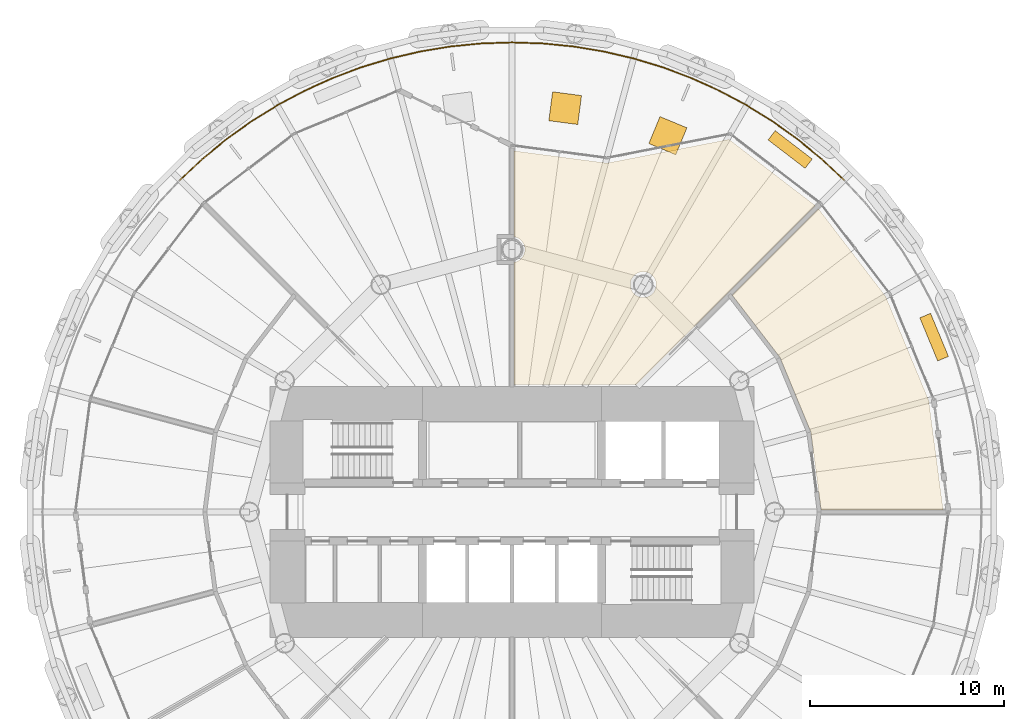
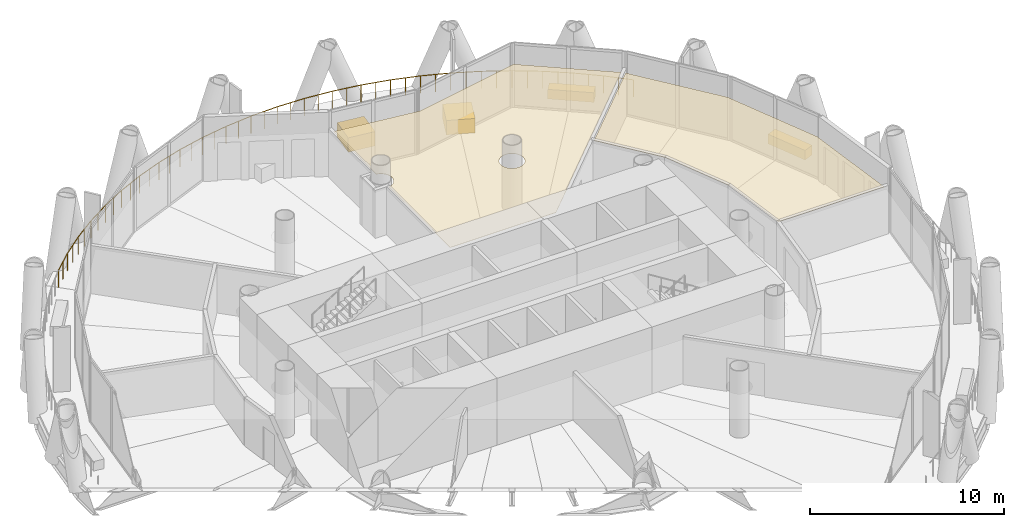
# One storey, part 15 of 15: 6 coverings, 1 railing.
"""IFC4 building model written with IfcOpenShell, lengths in metres."""

from ifc_helpers import new_model, si_unit, direction, frame, origin, origin_2d, place, context, subcontext, project, spatial, polyline, rectangle, circle, outline, extrude, material, layer, layer_set, type_object, element, save


model = new_model("IFC4")

# Units and contexts
model_context = context("Model", 3, precision=1e-05, world=origin(), true_north=direction((0.0, 1.0)))
body_context = subcontext(model_context, "Body", "Model", "MODEL_VIEW")
ifc_project = project(units=[si_unit("LENGTHUNIT", "METRE"), si_unit("AREAUNIT", "SQUARE_METRE"), si_unit("VOLUMEUNIT", "CUBIC_METRE"), si_unit("PLANEANGLEUNIT", "RADIAN"), si_unit("MASSUNIT", "GRAM", prefix="KILO")], contexts=[model_context])

# Site, building, storey
site_placement = place(None, origin())
site = spatial("IfcSite", under=ifc_project, at=site_placement, CompositionType="ELEMENT")
building_placement = place(site_placement, origin())
building = spatial("IfcBuilding", under=site, at=building_placement, Name="Qaws Media Tower", CompositionType="ELEMENT")
storey_placement = place(building_placement, frame((0.0, 0.0, 147.800048828125)))
storey = spatial("IfcBuildingStorey", under=building, at=storey_placement, Name="L33", CompositionType="ELEMENT", Elevation=147.800048828125)

# Railing
ifc_material_1 = material(Name="Stainless steel and glass guard", Category="steel")
railing_type = type_object("IfcRailingType", Name="Balcony guard 1100", PredefinedType="GUARDRAIL", material=ifc_material_1)
railing_placement = place(storey_placement, frame((77.07666015625, 67.07666015625, 0.0)))
element("IfcRailing", 1, at=railing_placement, inside=storey, type_object=railing_type, Name="GR1 balcony guard L33-1", PredefinedType="GUARDRAIL", context=body_context, shape_type="SweptSolid", body=[
    extrude(circle(Radius=0.02392578125, at=origin_2d()), frame((0.0, 0.0, 1.076171875), z_axis=(-0.729898402418, 0.683555646709, 0.0), x_axis=(-0.683555646709, -0.729898402418, 0.0)), (0.0, 0.0, 1.0), 1.58056640625),
    extrude(circle(Radius=0.02392578125, at=origin_2d()), frame((-1.153564453125, 1.080322265625, 1.076171875), z_axis=(-0.772999541766, 0.63440657975, 0.0), x_axis=(-0.63440657975, -0.772999541766, 0.0)), (0.0, 0.0, 1.0), 1.580078125),
    extrude(circle(Radius=0.02392578125, at=origin_2d()), frame((-2.375, 2.082763671875, 1.076171875), z_axis=(-0.812824441406, 0.582508735945, 0.0), x_axis=(-0.582508735945, -0.812824441406, 0.0)), (0.0, 0.0, 1.0), 1.58056640625),
    extrude(circle(Radius=0.02392578125, at=origin_2d()), frame((-3.65966796875, 3.00341796875, 1.076171875), z_axis=(-0.849219795707, 0.52803952369, 0.0), x_axis=(-0.52803952369, -0.849219795707, 0.0)), (0.0, 0.0, 1.0), 1.580322265625),
    extrude(circle(Radius=0.02392578125, at=origin_2d()), frame((-5.001708984375, 3.837890625, 1.076171875), z_axis=(-0.881954920719, 0.471333764777, 0.0), x_axis=(-0.471333764777, -0.881954920719, 0.0)), (0.0, 0.0, 1.0), 1.580322265625),
    extrude(circle(Radius=0.02392578125, at=origin_2d()), frame((-6.3955078125, 4.582763671875, 1.076171875), z_axis=(-0.910831466331, 0.412778439287, 0.0), x_axis=(-0.412778439287, -0.910831466331, 0.0)), (0.0, 0.0, 1.0), 1.580322265625),
    extrude(circle(Radius=0.02392578125, at=origin_2d()), frame((-7.8349609375, 5.235107421875, 1.076171875), z_axis=(-0.935909479077, 0.352240609491, 0.0), x_axis=(-0.352240609491, -0.935909479077, 0.0)), (0.0, 0.0, 1.0), 1.580322265625),
    extrude(circle(Radius=0.02392578125, at=origin_2d()), frame((-9.31396484375, 5.791748046875, 1.076171875), z_axis=(-0.956937304005, 0.290294671331, 0.0), x_axis=(-0.290294671331, -0.956937304005, 0.0)), (0.0, 0.0, 1.0), 1.580322265625),
    extrude(circle(Radius=0.02392578125, at=origin_2d()), frame((-10.826171875, 6.25048828125, 1.076171875), z_axis=(-0.973873106411, 0.227092872212, 0.0), x_axis=(-0.227092872212, -0.973873106411, 0.0)), (0.0, 0.0, 1.0), 1.580322265625),
    extrude(circle(Radius=0.02392578125, at=origin_2d()), frame((-12.365234375, 6.609375, 1.076171875), z_axis=(-0.986655692677, 0.162820588709, 0.0), x_axis=(-0.162820588709, -0.986655692677, 0.0)), (0.0, 0.0, 1.0), 1.580322265625),
    extrude(circle(Radius=0.02392578125, at=origin_2d()), frame((-13.924560546875, 6.86669921875, 1.076171875), z_axis=(-0.995175425119, 0.098111534692, 0.0), x_axis=(-0.098111534692, -0.995175425119, 0.0)), (0.0, 0.0, 1.0), 1.580078125),
    extrude(circle(Radius=0.02392578125, at=origin_2d()), frame((-15.4970703125, 7.021728515625, 1.076171875), z_axis=(-0.999468650712, 0.032594727249, 0.0), x_axis=(-0.032594727249, -0.999468650712, 0.0)), (0.0, 0.0, 1.0), 1.580322265625),
    extrude(circle(Radius=0.02392578125, at=origin_2d()), frame((-17.07666015625, 7.0732421875, 1.076171875), z_axis=(-0.999468650712, -0.032594727249, 0.0), x_axis=(0.032594727249, -0.999468650712, 0.0)), (0.0, 0.0, 1.0), 1.580322265625),
    extrude(circle(Radius=0.02392578125, at=origin_2d()), frame((-18.65625, 7.021728515625, 1.076171875), z_axis=(-0.995175425119, -0.098111534692, 0.0), x_axis=(0.098111534692, -0.995175425119, 0.0)), (0.0, 0.0, 1.0), 1.580078125),
    extrude(circle(Radius=0.02392578125, at=origin_2d()), frame((-20.228759765625, 6.86669921875, 1.076171875), z_axis=(-0.986655692677, -0.162820588709, 0.0), x_axis=(0.162820588709, -0.986655692677, 0.0)), (0.0, 0.0, 1.0), 1.580322265625),
    extrude(circle(Radius=0.02392578125, at=origin_2d()), frame((-21.7880859375, 6.609375, 1.076171875), z_axis=(-0.973873106411, -0.227092872212, 0.0), x_axis=(0.227092872212, -0.973873106411, 0.0)), (0.0, 0.0, 1.0), 1.580322265625),
    extrude(circle(Radius=0.02392578125, at=origin_2d()), frame((-23.3271484375, 6.25048828125, 1.076171875), z_axis=(-0.956937304005, -0.290294671331, 0.0), x_axis=(0.290294671331, -0.956937304005, 0.0)), (0.0, 0.0, 1.0), 1.580322265625),
    extrude(circle(Radius=0.02392578125, at=origin_2d()), frame((-24.83935546875, 5.791748046875, 1.076171875), z_axis=(-0.935909479077, -0.352240609491, 0.0), x_axis=(0.352240609491, -0.935909479077, 0.0)), (0.0, 0.0, 1.0), 1.580322265625),
    extrude(circle(Radius=0.02392578125, at=origin_2d()), frame((-26.318359375, 5.235107421875, 1.076171875), z_axis=(-0.910831466331, -0.412778439287, 0.0), x_axis=(0.412778439287, -0.910831466331, 0.0)), (0.0, 0.0, 1.0), 1.580322265625),
    extrude(circle(Radius=0.02392578125, at=origin_2d()), frame((-27.7578125, 4.582763671875, 1.076171875), z_axis=(-0.881954920719, -0.471333764777, 0.0), x_axis=(0.471333764777, -0.881954920719, 0.0)), (0.0, 0.0, 1.0), 1.580322265625),
    extrude(circle(Radius=0.02392578125, at=origin_2d()), frame((-29.151611328125, 3.837890625, 1.076171875), z_axis=(-0.849219795707, -0.52803952369, 0.0), x_axis=(0.52803952369, -0.849219795707, 0.0)), (0.0, 0.0, 1.0), 1.580322265625),
    extrude(circle(Radius=0.02392578125, at=origin_2d()), frame((-30.49365234375, 3.00341796875, 1.076171875), z_axis=(-0.812824441406, -0.582508735945, 0.0), x_axis=(0.582508735945, -0.812824441406, 0.0)), (0.0, 0.0, 1.0), 1.58056640625),
    extrude(circle(Radius=0.02392578125, at=origin_2d()), frame((-31.7783203125, 2.082763671875, 1.076171875), z_axis=(-0.772999541766, -0.63440657975, 0.0), x_axis=(0.63440657975, -0.772999541766, 0.0)), (0.0, 0.0, 1.0), 1.580078125),
    extrude(circle(Radius=0.02392578125, at=origin_2d()), frame((-32.999755859375, 1.080322265625, 1.076171875), z_axis=(-0.729898402418, -0.683555646709, 0.0), x_axis=(0.683555646709, -0.729898402418, 0.0)), (0.0, 0.0, 1.0), 1.58056640625),
    extrude(circle(Radius=0.02099609375, at=origin_2d()), origin(), (0.0, 0.0, 1.0), 1.052001953125),
    extrude(circle(Radius=0.02099609375, at=origin_2d()), frame((-0.57666015625, 0.5400390625, 0.0)), (0.0, 0.0, 1.0), 1.052001953125),
    extrude(circle(Radius=0.02099609375, at=origin_2d()), frame((-1.153564453125, 1.080322265625, 0.0)), (0.0, 0.0, 1.0), 1.052001953125),
    extrude(circle(Radius=0.02099609375, at=origin_2d()), frame((-1.76416015625, 1.58154296875, 0.0)), (0.0, 0.0, 1.0), 1.052001953125),
    extrude(circle(Radius=0.02099609375, at=origin_2d()), frame((-2.375, 2.082763671875, 0.0)), (0.0, 0.0, 1.0), 1.052001953125),
    extrude(circle(Radius=0.02099609375, at=origin_2d()), frame((-3.017333984375, 2.54296875, 0.0)), (0.0, 0.0, 1.0), 1.052001953125),
    extrude(circle(Radius=0.02099609375, at=origin_2d()), frame((-3.65966796875, 3.00341796875, 0.0)), (0.0, 0.0, 1.0), 1.052001953125),
    extrude(circle(Radius=0.02099609375, at=origin_2d()), frame((-4.33056640625, 3.420654296875, 0.0)), (0.0, 0.0, 1.0), 1.052001953125),
    extrude(circle(Radius=0.02099609375, at=origin_2d()), frame((-5.001708984375, 3.837890625, 0.0)), (0.0, 0.0, 1.0), 1.052001953125),
    extrude(circle(Radius=0.02099609375, at=origin_2d()), frame((-5.69873046875, 4.21044921875, 0.0)), (0.0, 0.0, 1.0), 1.052001953125),
    extrude(circle(Radius=0.02099609375, at=origin_2d()), frame((-6.3955078125, 4.582763671875, 0.0)), (0.0, 0.0, 1.0), 1.052001953125),
    extrude(circle(Radius=0.02099609375, at=origin_2d()), frame((-7.115234375, 4.908935546875, 0.0)), (0.0, 0.0, 1.0), 1.052001953125),
    extrude(circle(Radius=0.02099609375, at=origin_2d()), frame((-7.8349609375, 5.235107421875, 0.0)), (0.0, 0.0, 1.0), 1.052001953125),
    extrude(circle(Radius=0.02099609375, at=origin_2d()), frame((-8.574462890625, 5.513427734375, 0.0)), (0.0, 0.0, 1.0), 1.052001953125),
    extrude(circle(Radius=0.02099609375, at=origin_2d()), frame((-9.31396484375, 5.791748046875, 0.0)), (0.0, 0.0, 1.0), 1.052001953125),
    extrude(circle(Radius=0.02099609375, at=origin_2d()), frame((-10.070068359375, 6.02099609375, 0.0)), (0.0, 0.0, 1.0), 1.052001953125),
    extrude(circle(Radius=0.02099609375, at=origin_2d()), frame((-10.826171875, 6.25048828125, 0.0)), (0.0, 0.0, 1.0), 1.052001953125),
    extrude(circle(Radius=0.02099609375, at=origin_2d()), frame((-11.595703125, 6.429931640625, 0.0)), (0.0, 0.0, 1.0), 1.052001953125),
    extrude(circle(Radius=0.02099609375, at=origin_2d()), frame((-12.365234375, 6.609375, 0.0)), (0.0, 0.0, 1.0), 1.052001953125),
    extrude(circle(Radius=0.02099609375, at=origin_2d()), frame((-13.14501953125, 6.738037109375, 0.0)), (0.0, 0.0, 1.0), 1.052001953125),
    extrude(circle(Radius=0.02099609375, at=origin_2d()), frame((-13.924560546875, 6.86669921875, 0.0)), (0.0, 0.0, 1.0), 1.052001953125),
    extrude(circle(Radius=0.02099609375, at=origin_2d()), frame((-14.7109375, 6.9443359375, 0.0)), (0.0, 0.0, 1.0), 1.052001953125),
    extrude(circle(Radius=0.02099609375, at=origin_2d()), frame((-15.4970703125, 7.021728515625, 0.0)), (0.0, 0.0, 1.0), 1.052001953125),
    extrude(circle(Radius=0.02099609375, at=origin_2d()), frame((-16.286865234375, 7.04736328125, 0.0)), (0.0, 0.0, 1.0), 1.052001953125),
    extrude(circle(Radius=0.02099609375, at=origin_2d()), frame((-17.07666015625, 7.0732421875, 0.0)), (0.0, 0.0, 1.0), 1.052001953125),
    extrude(circle(Radius=0.02099609375, at=origin_2d()), frame((-17.866455078125, 7.04736328125, 0.0)), (0.0, 0.0, 1.0), 1.052001953125),
    extrude(circle(Radius=0.02099609375, at=origin_2d()), frame((-18.65625, 7.021728515625, 0.0)), (0.0, 0.0, 1.0), 1.052001953125),
    extrude(circle(Radius=0.02099609375, at=origin_2d()), frame((-19.4423828125, 6.9443359375, 0.0)), (0.0, 0.0, 1.0), 1.052001953125),
    extrude(circle(Radius=0.02099609375, at=origin_2d()), frame((-20.228759765625, 6.86669921875, 0.0)), (0.0, 0.0, 1.0), 1.052001953125),
    extrude(circle(Radius=0.02099609375, at=origin_2d()), frame((-21.00830078125, 6.738037109375, 0.0)), (0.0, 0.0, 1.0), 1.052001953125),
    extrude(circle(Radius=0.02099609375, at=origin_2d()), frame((-21.7880859375, 6.609375, 0.0)), (0.0, 0.0, 1.0), 1.052001953125),
    extrude(circle(Radius=0.02099609375, at=origin_2d()), frame((-22.5576171875, 6.429931640625, 0.0)), (0.0, 0.0, 1.0), 1.052001953125),
    extrude(circle(Radius=0.02099609375, at=origin_2d()), frame((-23.3271484375, 6.25048828125, 0.0)), (0.0, 0.0, 1.0), 1.052001953125),
    extrude(circle(Radius=0.02099609375, at=origin_2d()), frame((-24.083251953125, 6.02099609375, 0.0)), (0.0, 0.0, 1.0), 1.052001953125),
    extrude(circle(Radius=0.02099609375, at=origin_2d()), frame((-24.83935546875, 5.791748046875, 0.0)), (0.0, 0.0, 1.0), 1.052001953125),
    extrude(circle(Radius=0.02099609375, at=origin_2d()), frame((-25.578857421875, 5.513427734375, 0.0)), (0.0, 0.0, 1.0), 1.052001953125),
    extrude(circle(Radius=0.02099609375, at=origin_2d()), frame((-26.318359375, 5.235107421875, 0.0)), (0.0, 0.0, 1.0), 1.052001953125),
    extrude(circle(Radius=0.02099609375, at=origin_2d()), frame((-27.0380859375, 4.908935546875, 0.0)), (0.0, 0.0, 1.0), 1.052001953125),
    extrude(circle(Radius=0.02099609375, at=origin_2d()), frame((-27.7578125, 4.582763671875, 0.0)), (0.0, 0.0, 1.0), 1.052001953125),
    extrude(circle(Radius=0.02099609375, at=origin_2d()), frame((-28.45458984375, 4.21044921875, 0.0)), (0.0, 0.0, 1.0), 1.052001953125),
    extrude(circle(Radius=0.02099609375, at=origin_2d()), frame((-29.151611328125, 3.837890625, 0.0)), (0.0, 0.0, 1.0), 1.052001953125),
    extrude(circle(Radius=0.02099609375, at=origin_2d()), frame((-29.82275390625, 3.420654296875, 0.0)), (0.0, 0.0, 1.0), 1.052001953125),
    extrude(circle(Radius=0.02099609375, at=origin_2d()), frame((-30.49365234375, 3.00341796875, 0.0)), (0.0, 0.0, 1.0), 1.052001953125),
    extrude(circle(Radius=0.02099609375, at=origin_2d()), frame((-31.135986328125, 2.54296875, 0.0)), (0.0, 0.0, 1.0), 1.052001953125),
    extrude(circle(Radius=0.02099609375, at=origin_2d()), frame((-31.7783203125, 2.082763671875, 0.0)), (0.0, 0.0, 1.0), 1.052001953125),
    extrude(circle(Radius=0.02099609375, at=origin_2d()), frame((-32.38916015625, 1.58154296875, 0.0)), (0.0, 0.0, 1.0), 1.052001953125),
    extrude(circle(Radius=0.02099609375, at=origin_2d()), frame((-32.999755859375, 1.080322265625, 0.0)), (0.0, 0.0, 1.0), 1.052001953125),
    extrude(circle(Radius=0.02099609375, at=origin_2d()), frame((-33.57666015625, 0.5400390625, 0.0)), (0.0, 0.0, 1.0), 1.052001953125),
    extrude(circle(Radius=0.02099609375, at=origin_2d()), frame((-34.1533203125, 0.0, 0.0)), (0.0, 0.0, 1.0), 1.052001953125),
])

# Coverings
ifc_material_2 = material(Name="600 x 600 mineral fibre tiles in exposed grid, suspended", Category="mineral fibre")
ifc_layer_1 = layer(ifc_material_2, 0.02001953125)
ifc_layer_set_1 = layer_set([ifc_layer_1], Name="Mineral fibre tile ceiling 20")
covering_type_1 = type_object("IfcCoveringType", Name="Mineral fibre tile ceiling 20", PredefinedType="CEILING", material=ifc_layer_set_1)
covering_1_placement = place(storey_placement, frame((0.0, 0.0, 2.849853515625)))
element("IfcCovering", 2, at=covering_1_placement, inside=storey, type_object=covering_type_1, Name="CL1 ceiling L33-02 IT office", PredefinedType="CEILING", context=body_context, shape_type="SweptSolid", body=[
    extrude(outline(polyline([(79.212890625, 61.092529296875), (81.42919921875, 55.741943359375), (82.17041015625, 50.112548828125), (75.898681640625, 50.112548828125), (75.37109375, 54.11865234375), (73.781494140625, 57.956787109375), (71.321533203125, 61.16259765625), (75.75634765625, 65.597412109375), (79.212890625, 61.092529296875)])), origin(), (0.0, 0.0, 1.0), 0.02001953125),
])
covering_2_placement = place(storey_placement, frame((0.0, 0.0, 2.849853515625)))
element("IfcCovering", 3, at=covering_2_placement, inside=storey, type_object=covering_type_1, Name="CL1 ceiling L33-03 IT open office", PredefinedType="CEILING", context=body_context, shape_type="SweptSolid", body=[
    extrude(outline(polyline([(64.886962890625, 67.94189453125), (71.158935546875, 69.162109375), (75.597412109375, 65.75634765625), (66.4033203125, 56.5625), (60.112548828125, 56.5625), (60.112548828125, 62.8427734375), (60.1728515625, 62.854736328125), (60.255615234375, 62.8828125), (60.333984375, 62.92138671875), (60.40673828125, 62.969970703125), (60.472412109375, 63.027587890625), (60.530029296875, 63.09326171875), (60.57861328125, 63.166015625), (60.6171875, 63.244384765625), (60.645263671875, 63.3271484375), (60.662353515625, 63.412841796875), (60.66796875, 63.5), (60.662353515625, 63.587158203125), (60.645263671875, 63.6728515625), (60.6171875, 63.755615234375), (60.57861328125, 63.833984375), (60.530029296875, 63.90673828125), (60.472412109375, 63.972412109375), (60.40673828125, 64.030029296875), (60.333984375, 64.07861328125), (60.255615234375, 64.1171875), (60.1728515625, 64.145263671875), (60.112548828125, 64.1572265625), (60.112548828125, 68.5703125), (64.886962890625, 67.94189453125)]), holes=[polyline([(67.3671875, 61.435791015625), (67.395263671875, 61.5185546875), (67.412353515625, 61.604248046875), (67.41796875, 61.69140625), (67.412353515625, 61.778564453125), (67.395263671875, 61.8642578125), (67.3671875, 61.947021484375), (67.32861328125, 62.025390625), (67.280029296875, 62.097900390625), (67.222412109375, 62.163818359375), (67.15673828125, 62.22119140625), (67.083984375, 62.269775390625), (67.005615234375, 62.30859375), (66.9228515625, 62.336669921875), (66.837158203125, 62.353515625), (66.75, 62.359375), (66.662841796875, 62.353515625), (66.5771484375, 62.336669921875), (66.494384765625, 62.30859375), (66.416015625, 62.269775390625), (66.34326171875, 62.22119140625), (66.277587890625, 62.163818359375), (66.219970703125, 62.097900390625), (66.17138671875, 62.025390625), (66.1328125, 61.947021484375), (66.104736328125, 61.8642578125), (66.087646484375, 61.778564453125), (66.08203125, 61.69140625), (66.087646484375, 61.604248046875), (66.104736328125, 61.5185546875), (66.1328125, 61.435791015625), (66.17138671875, 61.357421875), (66.219970703125, 61.28466796875), (66.277587890625, 61.218994140625), (66.34326171875, 61.161376953125), (66.416015625, 61.11279296875), (66.494384765625, 61.07421875), (66.5771484375, 61.046142578125), (66.662841796875, 61.029052734375), (66.75, 61.023193359375), (66.837158203125, 61.029052734375), (66.9228515625, 61.046142578125), (67.005615234375, 61.07421875), (67.083984375, 61.11279296875), (67.15673828125, 61.161376953125), (67.222412109375, 61.218994140625), (67.280029296875, 61.28466796875), (67.32861328125, 61.357421875), (67.3671875, 61.435791015625)])]), origin(), (0.0, 0.0, 1.0), 0.02001953125),
])
ifc_material_3 = material(Name="Precast concrete planter with trailing planting", Category="concrete")
ifc_layer_2 = layer(ifc_material_3, 0.60009765625)
ifc_layer_set_2 = layer_set([ifc_layer_2], Name="Planter 2400x600")
covering_type_2 = type_object("IfcCoveringType", Name="Planter 2400x600", PredefinedType="USERDEFINED", material=ifc_layer_set_2)
for number, where, z_axis, x_axis, name in (
    (4, (81.711181640625, 58.9931640625, 0.0), (0.0, 0.0, 1.0), (-0.382683432365, 0.923879532511, 0.0), "PL1 balcony planter L33-01"),
    (5, (74.305908203125, 68.643798828125, 0.0), (0.0, 0.0, 1.0), (-0.793353340291, 0.608761429009, 0.0), "PL1 balcony planter L33-02"),
):
    element("IfcCovering", number, at=place(storey_placement, frame(where, z_axis=z_axis, x_axis=x_axis)), inside=storey, type_object=covering_type_2, Name=name, ObjectType="PLANTER", PredefinedType="USERDEFINED", context=body_context, shape_type="SweptSolid", body=[
        extrude(rectangle(XDim=2.39990234375, YDim=0.60009765625, at=origin_2d()), origin(), (0.0, 0.0, 1.0), 0.60009765625),
    ])
ifc_material_4 = material(Name="Precast concrete tree planter", Category="concrete")
ifc_layer_3 = layer(ifc_material_4, 0.89990234375)
ifc_layer_set_3 = layer_set([ifc_layer_3], Name="Tree planter 1500")
covering_type_3 = type_object("IfcCoveringType", Name="Tree planter 1500", PredefinedType="USERDEFINED", material=ifc_layer_set_3)
for number, where, z_axis, x_axis, name in (
    (6, (68.017333984375, 69.355224609375, 0.0), (0.0, 0.0, 1.0), (0.382683432365, 0.923879532511, 0.0), "PL2 sky garden tree planter L33-1"),
    (7, (62.734619140625, 70.770751953125, 0.0), (0.0, 0.0, 1.0), (0.13052619222, 0.991444861374, 0.0), "PL2 sky garden tree planter L33-2"),
):
    element("IfcCovering", number, at=place(storey_placement, frame(where, z_axis=z_axis, x_axis=x_axis)), inside=storey, type_object=covering_type_3, Name=name, ObjectType="PLANTER", PredefinedType="USERDEFINED", context=body_context, shape_type="SweptSolid", body=[
        extrude(rectangle(XDim=1.5, YDim=1.5, at=origin_2d()), origin(), (0.0, 0.0, 1.0), 0.89990234375),
    ])

save(model, "model.ifc")
